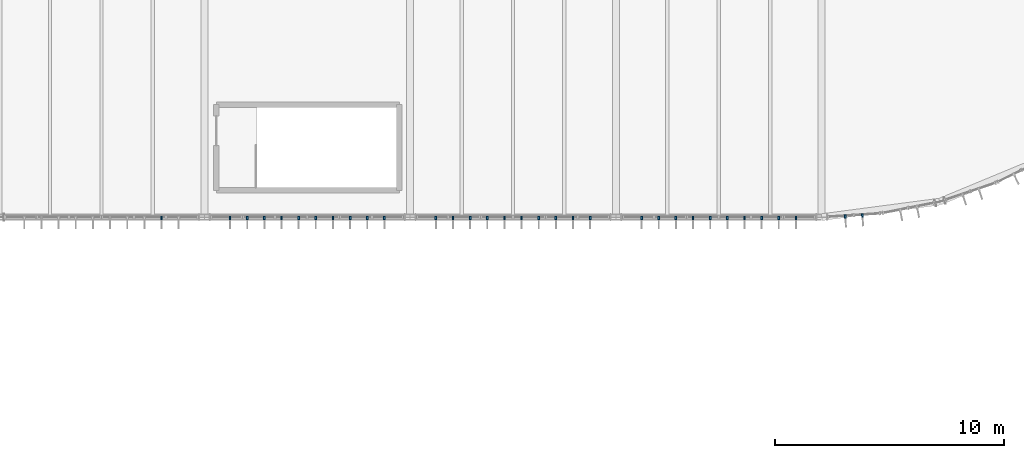
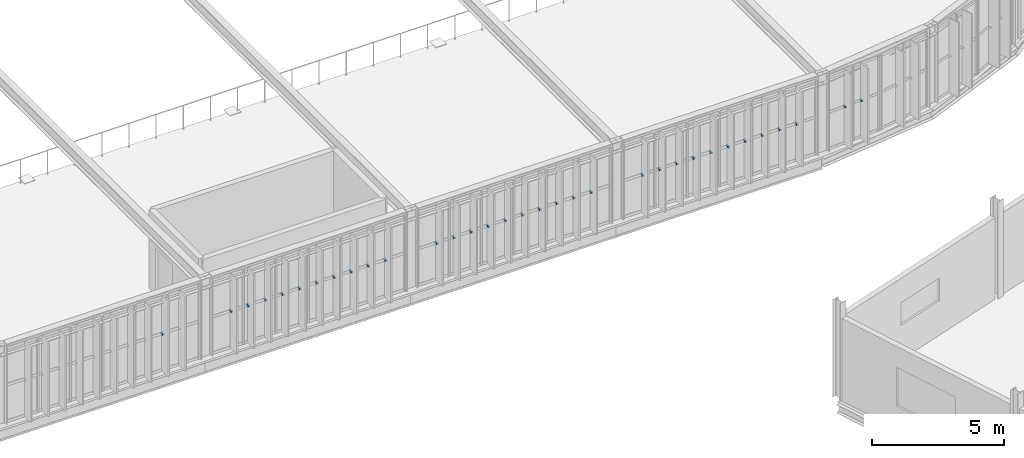
# One storey, part 131 of 152: 33 discrete accessories.
"""IFC4 building model written with IfcOpenShell, lengths in metres."""

from ifc_helpers import new_model, si_unit, derived_unit, direction, frame, origin, origin_2d, place, context, subcontext, project, spatial, rectangle, extrude, material, type_object, element, save


model = new_model("IFC4")

# Units and contexts
model_context = context("Model", 3, precision=1e-05, world=origin(), true_north=direction((0.0, 1.0)))
body_context = subcontext(model_context, "Body", "Model", "MODEL_VIEW")
ifc_project = project(units=[si_unit("LENGTHUNIT", "METRE"), si_unit("AREAUNIT", "SQUARE_METRE"), si_unit("VOLUMEUNIT", "CUBIC_METRE"), si_unit("PLANEANGLEUNIT", "RADIAN"), si_unit("MASSUNIT", "GRAM", prefix="KILO"), si_unit("THERMODYNAMICTEMPERATUREUNIT", "KELVIN"), si_unit("TIMEUNIT", "SECOND"), derived_unit("THERMALTRANSMITTANCEUNIT", [(si_unit("MASSUNIT", "GRAM", prefix="KILO"), 1), (si_unit("THERMODYNAMICTEMPERATUREUNIT", "KELVIN"), -1), (si_unit("TIMEUNIT", "SECOND"), -3)])], contexts=[model_context])

# Site, building, storey
site_placement = place(None, origin())
site = spatial("IfcSite", under=ifc_project, at=site_placement, CompositionType="ELEMENT")
building_placement = place(site_placement, origin())
building = spatial("IfcBuilding", under=site, at=building_placement, Name="Cambertide Market Hall", CompositionType="ELEMENT")
storey_placement = place(building_placement, frame((0.0, 0.0, 5.39990234375)))
storey = spatial("IfcBuildingStorey", under=building, at=storey_placement, Name="L02", CompositionType="ELEMENT", Elevation=5.39990234375)

# Discrete accessories
ifc_material = material(Name="Stainless Steel Grade 316", Category="metal")
discrete_accessory_type = type_object("IfcDiscreteAccessoryType", Name="Stainless Fin Outrigger Tie Bracket", PredefinedType="BRACKET", material=ifc_material)
for number, where, z_axis, x_axis, name in (
    (1, (76.125, 51.9599609375, 1.68505859375), (0.0, 0.0, 1.0), (-1.0, 0.0, 0.0), "CW-V1S-L02-4 Fin Tie Bracket 2"),
    (2, (85.875, 51.9599609375, 1.68505859375), (0.0, 0.0, 1.0), (-1.0, 0.0, 0.0), "CW-V1S-L02-5 Fin Tie Bracket 1"),
    (3, (85.125, 51.9599609375, 1.68505859375), (0.0, 0.0, 1.0), (-1.0, 0.0, 0.0), "CW-V1S-L02-5 Fin Tie Bracket 2"),
    (4, (84.375, 51.9599609375, 1.68505859375), (0.0, 0.0, 1.0), (-1.0, 0.0, 0.0), "CW-V1S-L02-5 Fin Tie Bracket 3"),
    (5, (83.625, 51.9599609375, 1.68505859375), (0.0, 0.0, 1.0), (-1.0, 0.0, 0.0), "CW-V1S-L02-5 Fin Tie Bracket 4"),
    (6, (82.875, 51.9599609375, 1.68505859375), (0.0, 0.0, 1.0), (-1.0, 0.0, 0.0), "CW-V1S-L02-5 Fin Tie Bracket 5"),
    (7, (82.125, 51.9599609375, 1.68505859375), (0.0, 0.0, 1.0), (-1.0, 0.0, 0.0), "CW-V1S-L02-5 Fin Tie Bracket 6"),
    (8, (81.375, 51.9599609375, 1.68505859375), (0.0, 0.0, 1.0), (-1.0, 0.0, 0.0), "CW-V1S-L02-5 Fin Tie Bracket 7"),
    (9, (80.625, 51.9599609375, 1.68505859375), (0.0, 0.0, 1.0), (-1.0, 0.0, 0.0), "CW-V1S-L02-5 Fin Tie Bracket 8"),
    (10, (79.875, 51.9599609375, 1.68505859375), (0.0, 0.0, 1.0), (-1.0, 0.0, 0.0), "CW-V1S-L02-5 Fin Tie Bracket 9"),
    (11, (79.125, 51.9599609375, 1.68505859375), (0.0, 0.0, 1.0), (-1.0, 0.0, 0.0), "CW-V1S-L02-5 Fin Tie Bracket 10"),
    (12, (94.875, 51.9599609375, 1.68505859375), (0.0, 0.0, 1.0), (-1.0, 0.0, 0.0), "CW-V1S-L02-6 Fin Tie Bracket 1"),
    (13, (94.125, 51.9599609375, 1.68505859375), (0.0, 0.0, 1.0), (-1.0, 0.0, 0.0), "CW-V1S-L02-6 Fin Tie Bracket 2"),
    (14, (93.375, 51.9599609375, 1.68505859375), (0.0, 0.0, 1.0), (-1.0, 0.0, 0.0), "CW-V1S-L02-6 Fin Tie Bracket 3"),
    (15, (92.625, 51.9599609375, 1.68505859375), (0.0, 0.0, 1.0), (-1.0, 0.0, 0.0), "CW-V1S-L02-6 Fin Tie Bracket 4"),
    (16, (91.875, 51.9599609375, 1.68505859375), (0.0, 0.0, 1.0), (-1.0, 0.0, 0.0), "CW-V1S-L02-6 Fin Tie Bracket 5"),
    (17, (91.125, 51.9599609375, 1.68505859375), (0.0, 0.0, 1.0), (-1.0, 0.0, 0.0), "CW-V1S-L02-6 Fin Tie Bracket 6"),
    (18, (90.375, 51.9599609375, 1.68505859375), (0.0, 0.0, 1.0), (-1.0, 0.0, 0.0), "CW-V1S-L02-6 Fin Tie Bracket 7"),
    (19, (89.625, 51.9599609375, 1.68505859375), (0.0, 0.0, 1.0), (-1.0, 0.0, 0.0), "CW-V1S-L02-6 Fin Tie Bracket 8"),
    (20, (88.875, 51.9599609375, 1.68505859375), (0.0, 0.0, 1.0), (-1.0, 0.0, 0.0), "CW-V1S-L02-6 Fin Tie Bracket 9"),
    (21, (88.125, 51.9599609375, 1.68505859375), (0.0, 0.0, 1.0), (-1.0, 0.0, 0.0), "CW-V1S-L02-6 Fin Tie Bracket 10"),
    (22, (103.875, 51.9599609375, 1.68505859375), (0.0, 0.0, 1.0), (-1.0, 0.0, 0.0), "CW-V1S-L02-7 Fin Tie Bracket 1"),
    (23, (103.125, 51.9599609375, 1.68505859375), (0.0, 0.0, 1.0), (-1.0, 0.0, 0.0), "CW-V1S-L02-7 Fin Tie Bracket 2"),
    (24, (102.375, 51.9599609375, 1.68505859375), (0.0, 0.0, 1.0), (-1.0, 0.0, 0.0), "CW-V1S-L02-7 Fin Tie Bracket 3"),
    (25, (101.625, 51.9599609375, 1.68505859375), (0.0, 0.0, 1.0), (-1.0, 0.0, 0.0), "CW-V1S-L02-7 Fin Tie Bracket 4"),
    (26, (100.875, 51.9599609375, 1.68505859375), (0.0, 0.0, 1.0), (-1.0, 0.0, 0.0), "CW-V1S-L02-7 Fin Tie Bracket 5"),
    (27, (100.125, 51.9599609375, 1.68505859375), (0.0, 0.0, 1.0), (-1.0, 0.0, 0.0), "CW-V1S-L02-7 Fin Tie Bracket 6"),
    (28, (99.375, 51.9599609375, 1.68505859375), (0.0, 0.0, 1.0), (-1.0, 0.0, 0.0), "CW-V1S-L02-7 Fin Tie Bracket 7"),
    (29, (98.625, 51.9599609375, 1.68505859375), (0.0, 0.0, 1.0), (-1.0, 0.0, 0.0), "CW-V1S-L02-7 Fin Tie Bracket 8"),
    (30, (97.875, 51.9599609375, 1.68505859375), (0.0, 0.0, 1.0), (-1.0, 0.0, 0.0), "CW-V1S-L02-7 Fin Tie Bracket 9"),
    (31, (97.125, 51.9599609375, 1.68505859375), (0.0, 0.0, 1.0), (-1.0, 0.0, 0.0), "CW-V1S-L02-7 Fin Tie Bracket 10"),
    (32, (106.781982421875, 52.07666015625, 1.68505859375), (0.0, 0.0, 1.0), (-0.997858917819, -0.065403211921, 0.0), "CW-V1AE-L02-01 Fin Tie Bracket 1"),
    (33, (106.033447265625, 52.027587890625, 1.68505859375), (0.0, 0.0, 1.0), (-0.997858917819, -0.065403211921, 0.0), "CW-V1AE-L02-01 Fin Tie Bracket 2"),
):
    element("IfcDiscreteAccessory", number, at=place(storey_placement, frame(where, z_axis=z_axis, x_axis=x_axis)), inside=storey, type_object=discrete_accessory_type, Name=name, PredefinedType="BRACKET", context=body_context, shape_type="SweptSolid", body=[
        extrude(rectangle(XDim=0.080078125, YDim=0.159912109375, at=origin_2d()), origin(), (0.0, 0.0, 1.0), 0.080078125),
    ])

save(model, "model.ifc")
